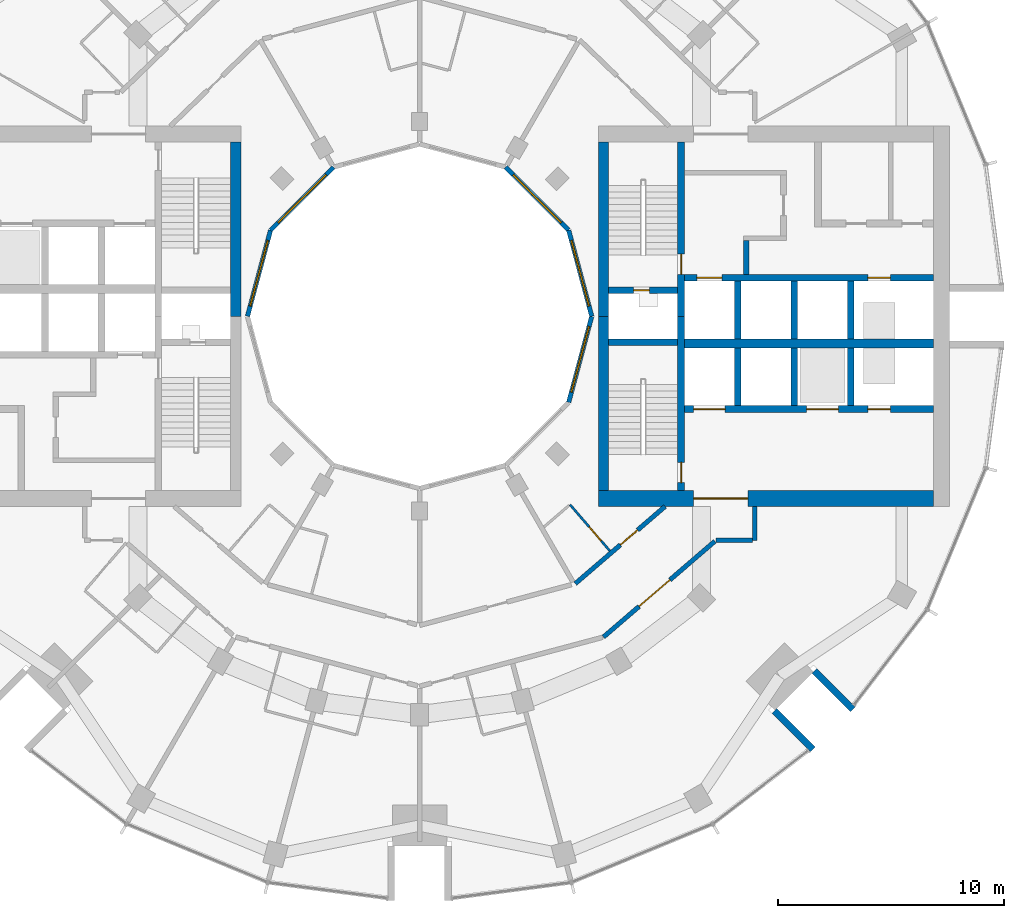
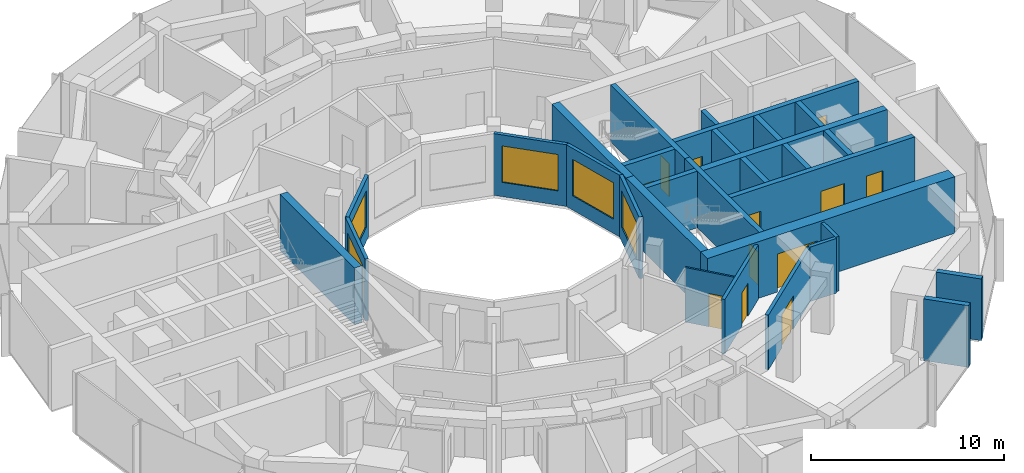
# One storey, part 10 of 15: 30 walls, 12 doors, 5 windows, 17 openings.
"""IFC4 building model written with IfcOpenShell, lengths in metres."""

from ifc_helpers import new_model, si_unit, direction, frame, frame_2d, origin, place, context, subcontext, project, spatial, rectangle, extrude, material, layer, layer_set, type_object, element, fill, save


model = new_model("IFC4")

# Units and contexts
model_context = context("Model", 3, precision=1e-05, world=origin(), true_north=direction((0.0, 1.0)))
body_context = subcontext(model_context, "Body", "Model", "MODEL_VIEW")
ifc_project = project(units=[si_unit("LENGTHUNIT", "METRE"), si_unit("AREAUNIT", "SQUARE_METRE"), si_unit("VOLUMEUNIT", "CUBIC_METRE"), si_unit("PLANEANGLEUNIT", "RADIAN"), si_unit("MASSUNIT", "GRAM", prefix="KILO")], contexts=[model_context])

# Site, building, storey
site_placement = place(None, origin())
site = spatial("IfcSite", under=ifc_project, at=site_placement, CompositionType="ELEMENT")
building_placement = place(site_placement, origin())
building = spatial("IfcBuilding", under=site, at=building_placement, Name="Torre Brocal", CompositionType="ELEMENT")
storey_placement = place(building_placement, frame((0.0, 0.0, 141.89990234375)))
storey = spatial("IfcBuildingStorey", under=building, at=storey_placement, Name="L33", CompositionType="ELEMENT", Elevation=141.89990234375)

# Wall
ifc_material_1 = material(Name="Concrete C70", Category="concrete")
ifc_layer_1 = layer(ifc_material_1, 0.25)
ifc_layer_set_1 = layer_set([ifc_layer_1], Name="Concrete C70")
wall_type_1 = type_object("IfcWallType", Name="CORE WALL 250 C70", PredefinedType="SHEAR", material=ifc_layer_set_1)
wall_1_placement = place(storey_placement, frame((94.425048828125, 76.85009765625, 0.0), z_axis=(0.0, 0.0, 1.0), x_axis=(0.0, 1.0, 0.0)))
element("IfcWall", 1, at=wall_1_placement, inside=storey, type_object=wall_type_1, Name="Wall CW250-70", PredefinedType="SHEAR", context=body_context, shape_type="SweptSolid", body=[
    extrude(rectangle(XDim=1.5, YDim=0.25, at=frame_2d((0.75, 0.0))), origin(), (0.0, 0.0, 1.0), 3.580078125),
])

# Wall, opening, door
ifc_material_2 = material(Name="Concrete C70", Category="concrete")
ifc_layer_2 = layer(ifc_material_2, 0.300048828125)
ifc_layer_set_2 = layer_set([ifc_layer_2], Name="Concrete C70")
wall_type_2 = type_object("IfcWallType", Name="CORE WALL 300 C70", PredefinedType="SHEAR", material=ifc_layer_set_2)
wall_2_placement = place(storey_placement, frame((91.550048828125, 75.0, 0.0), z_axis=(0.0, 0.0, 1.0), x_axis=(0.0, 1.0, 0.0)))
wall_2 = element("IfcWall", 2, at=wall_2_placement, inside=storey, type_object=wall_type_2, Name="Wall CW300-70", PredefinedType="SHEAR", context=body_context, shape_type="SweptSolid", body=[
    extrude(rectangle(XDim=7.699951171875, YDim=0.300048828125, at=frame_2d((3.85009765625, 0.0))), origin(), (0.0, 0.0, 1.0), 3.580078125),
])
opening_1_placement = place(wall_2_placement, frame((1.85009765625, 0.0, 0.0)))
opening_1 = element("IfcOpeningElement", 3, at=opening_1_placement, cuts=wall_2, Name="Opening E-D02", PredefinedType="OPENING", context=body_context, shape_type="SweptSolid", body=[
    extrude(rectangle(XDim=0.89990234375, YDim=2.10009765625, at=frame_2d((0.449951171875, 1.050048828125))), frame((0.0, 0.159912109375, 0.0), z_axis=(0.0, -1.0, 0.0), x_axis=(1.0, 0.0, 0.0)), (0.0, 0.0, 1.0), 0.320068359375),
])
ifc_material_3 = material(Name="Steel A653", Category="steel")
door_type_1 = type_object("IfcDoorType", Name="STAIR DOOR FD120 900X2100", OperationType="SINGLE_SWING_RIGHT", PredefinedType="DOOR", material=ifc_material_3)
door_1_placement = place(opening_1_placement, origin())
door_1 = element("IfcDoor", 4, at=door_1_placement, inside=storey, type_object=door_type_1, Name="Door E-D02", OperationType="SINGLE_SWING_LEFT", OverallHeight=2.10009765625, OverallWidth=0.89990234375, PredefinedType="DOOR", context=body_context, shape_type="SweptSolid", body=[
    extrude(rectangle(XDim=0.89990234375, YDim=2.10009765625, at=frame_2d((0.449951171875, 1.050048828125))), frame((0.0, 0.02490234375, 0.0), z_axis=(0.0, -1.0, 0.0), x_axis=(1.0, 0.0, 0.0)), (0.0, 0.0, 1.0), 0.050048828125),
])
fill(opening_1, door_1)

wall_3_placement = place(storey_placement, frame((91.550048828125, 67.300048828125, 0.0), z_axis=(0.0, 0.0, 1.0), x_axis=(0.0, 1.0, 0.0)))
wall_3 = element("IfcWall", 5, at=wall_3_placement, inside=storey, type_object=wall_type_2, Name="Wall CW300-70", PredefinedType="SHEAR", context=body_context, shape_type="SweptSolid", body=[
    extrude(rectangle(XDim=7.699951171875, YDim=0.300048828125, at=frame_2d((3.85009765625, 0.0))), origin(), (0.0, 0.0, 1.0), 3.580078125),
])
opening_2_placement = place(wall_3_placement, frame((0.35009765625, 0.0, 0.0)))
opening_2 = element("IfcOpeningElement", 6, at=opening_2_placement, cuts=wall_3, Name="Opening E-D03", PredefinedType="OPENING", context=body_context, shape_type="SweptSolid", body=[
    extrude(rectangle(XDim=0.89990234375, YDim=2.10009765625, at=frame_2d((0.449951171875, 1.050048828125))), frame((0.0, 0.159912109375, 0.0), z_axis=(0.0, -1.0, 0.0), x_axis=(1.0, 0.0, 0.0)), (0.0, 0.0, 1.0), 0.320068359375),
])
door_2_placement = place(opening_2_placement, origin())
door_2 = element("IfcDoor", 7, at=door_2_placement, inside=storey, type_object=door_type_1, Name="Door E-D03", OperationType="SINGLE_SWING_LEFT", OverallHeight=2.10009765625, OverallWidth=0.89990234375, PredefinedType="DOOR", context=body_context, shape_type="SweptSolid", body=[
    extrude(rectangle(XDim=0.89990234375, YDim=2.10009765625, at=frame_2d((0.449951171875, 1.050048828125))), frame((0.0, 0.02490234375, 0.0), z_axis=(0.0, -1.0, 0.0), x_axis=(1.0, 0.0, 0.0)), (0.0, 0.0, 1.0), 0.050048828125),
])
fill(opening_2, door_2)

wall_4_placement = place(storey_placement, frame((88.35009765625, 76.14990234375, 0.0), z_axis=(0.0, 0.0, 1.0), x_axis=(1.0, 0.0, 0.0)))
wall_4 = element("IfcWall", 8, at=wall_4_placement, inside=storey, type_object=wall_type_2, Name="Wall CW300-70", PredefinedType="SHEAR", context=body_context, shape_type="SweptSolid", body=[
    extrude(rectangle(XDim=3.0498046875, YDim=0.300048828125, at=frame_2d((1.52490234375, 0.0))), origin(), (0.0, 0.0, 1.0), 3.580078125),
])
opening_3_placement = place(wall_4_placement, frame((1.10009765625, 0.0, 0.0)))
opening_3 = element("IfcOpeningElement", 9, at=opening_3_placement, cuts=wall_4, Name="Opening E-D01", PredefinedType="OPENING", context=body_context, shape_type="SweptSolid", body=[
    extrude(rectangle(XDim=0.699951171875, YDim=2.0, at=frame_2d((0.35009765625, 1.0))), frame((0.0, 0.159912109375, 0.0), z_axis=(0.0, -1.0, 0.0), x_axis=(1.0, 0.0, 0.0)), (0.0, 0.0, 1.0), 0.320068359375),
])
ifc_material_4 = material(Name="Steel A653", Category="steel")
door_type_2 = type_object("IfcDoorType", Name="RISER DOOR FD120 700X2000", OperationType="SINGLE_SWING_LEFT", PredefinedType="DOOR", material=ifc_material_4)
door_3_placement = place(opening_3_placement, frame((0.699951171875, 0.0, 0.0), z_axis=(0.0, 0.0, 1.0), x_axis=(-1.0, 0.0, 0.0)))
door_3 = element("IfcDoor", 10, at=door_3_placement, inside=storey, type_object=door_type_2, Name="Door E-D01", OperationType="SINGLE_SWING_RIGHT", OverallHeight=2.0, OverallWidth=0.699951171875, PredefinedType="DOOR", context=body_context, shape_type="SweptSolid", body=[
    extrude(rectangle(XDim=0.699951171875, YDim=2.0, at=frame_2d((0.35009765625, 1.0))), frame((0.0, 0.02490234375, 0.0), z_axis=(0.0, -1.0, 0.0), x_axis=(1.0, 0.0, 0.0)), (0.0, 0.0, 1.0), 0.050048828125),
])
fill(opening_3, door_3)

# Wall
wall_5_placement = place(storey_placement, frame((88.35009765625, 73.85009765625, 0.0), z_axis=(0.0, 0.0, 1.0), x_axis=(1.0, 0.0, 0.0)))
element("IfcWall", 11, at=wall_5_placement, inside=storey, type_object=wall_type_2, Name="Wall CW300-70", PredefinedType="SHEAR", context=body_context, shape_type="SweptSolid", body=[
    extrude(rectangle(XDim=3.0498046875, YDim=0.300048828125, at=frame_2d((1.52490234375, 0.0))), origin(), (0.0, 0.0, 1.0), 3.580078125),
])

# Wall, openings, doors
wall_6_placement = place(storey_placement, frame((91.699951171875, 76.699951171875, 0.0), z_axis=(0.0, 0.0, 1.0), x_axis=(1.0, 0.0, 0.0)))
wall_6 = element("IfcWall", 12, at=wall_6_placement, inside=storey, type_object=wall_type_2, Name="Wall CW300-70", PredefinedType="SHEAR", context=body_context, shape_type="SweptSolid", body=[
    extrude(rectangle(XDim=11.0, YDim=0.300048828125, at=frame_2d((5.5, 0.0))), origin(), (0.0, 0.0, 1.0), 3.580078125),
])
opening_4_placement = place(wall_6_placement, frame((0.550048828125, 0.0, 0.0)))
opening_4 = element("IfcOpeningElement", 13, at=opening_4_placement, cuts=wall_6, Name="Opening LD", PredefinedType="OPENING", context=body_context, shape_type="SweptSolid", body=[
    extrude(rectangle(XDim=1.10009765625, YDim=2.10009765625, at=frame_2d((0.550048828125, 1.050048828125))), frame((0.0, 0.159912109375, 0.0), z_axis=(0.0, -1.0, 0.0), x_axis=(1.0, 0.0, 0.0)), (0.0, 0.0, 1.0), 0.320068359375),
])
opening_5_placement = place(wall_6_placement, frame((8.10009765625, 0.0, 0.0)))
opening_5 = element("IfcOpeningElement", 14, at=opening_5_placement, cuts=wall_6, Name="Opening LD10", PredefinedType="OPENING", context=body_context, shape_type="SweptSolid", body=[
    extrude(rectangle(XDim=1.0, YDim=2.10009765625, at=frame_2d((0.5, 1.050048828125))), frame((0.0, 0.159912109375, 0.0), z_axis=(0.0, -1.0, 0.0), x_axis=(1.0, 0.0, 0.0)), (0.0, 0.0, 1.0), 0.320068359375),
])
ifc_material_5 = material(Name="Stainless steel AISI 316", Category="steel")
door_type_3 = type_object("IfcDoorType", Name="LIFT LANDING DOOR 1000X2100", OperationType="DOUBLE_DOOR_SLIDING", PredefinedType="DOOR", material=ifc_material_5)
door_4_placement = place(opening_5_placement, origin())
door_4 = element("IfcDoor", 15, at=door_4_placement, inside=storey, type_object=door_type_3, Name="Door LD10", OperationType="DOUBLE_DOOR_SLIDING", OverallHeight=2.10009765625, OverallWidth=1.0, PredefinedType="DOOR", context=body_context, shape_type="SweptSolid", body=[
    extrude(rectangle(XDim=1.0, YDim=2.10009765625, at=frame_2d((0.5, 1.050048828125))), frame((0.0, 0.02490234375, 0.0), z_axis=(0.0, -1.0, 0.0), x_axis=(1.0, 0.0, 0.0)), (0.0, 0.0, 1.0), 0.050048828125),
])
fill(opening_5, door_4)
ifc_material_6 = material(Name="Stainless steel AISI 316", Category="steel")
door_type_4 = type_object("IfcDoorType", Name="LIFT LANDING DOOR 1100X2100", OperationType="DOUBLE_DOOR_SLIDING", PredefinedType="DOOR", material=ifc_material_6)
door_5_placement = place(opening_4_placement, origin())
door_5 = element("IfcDoor", 16, at=door_5_placement, inside=storey, type_object=door_type_4, Name="Door LD", OperationType="DOUBLE_DOOR_SLIDING", OverallHeight=2.10009765625, OverallWidth=1.10009765625, PredefinedType="DOOR", context=body_context, shape_type="SweptSolid", body=[
    extrude(rectangle(XDim=1.10009765625, YDim=2.10009765625, at=frame_2d((0.550048828125, 1.050048828125))), frame((0.0, 0.02490234375, 0.0), z_axis=(0.0, -1.0, 0.0), x_axis=(1.0, 0.0, 0.0)), (0.0, 0.0, 1.0), 0.050048828125),
])
fill(opening_4, door_5)

wall_7_placement = place(storey_placement, frame((91.699951171875, 70.89990234375, 0.0), z_axis=(0.0, 0.0, 1.0), x_axis=(1.0, 0.0, 0.0)))
wall_7 = element("IfcWall", 17, at=wall_7_placement, inside=storey, type_object=wall_type_2, Name="Wall CW300-70", PredefinedType="SHEAR", context=body_context, shape_type="SweptSolid", body=[
    extrude(rectangle(XDim=11.0, YDim=0.300048828125, at=frame_2d((5.5, 0.0))), origin(), (0.0, 0.0, 1.0), 3.580078125),
])
opening_6_placement = place(wall_7_placement, frame((0.39990234375, 0.0, 0.0)))
opening_6 = element("IfcOpeningElement", 18, at=opening_6_placement, cuts=wall_7, Name="Opening LD14", PredefinedType="OPENING", context=body_context, shape_type="SweptSolid", body=[
    extrude(rectangle(XDim=1.39990234375, YDim=2.10009765625, at=frame_2d((0.699951171875, 1.050048828125))), frame((0.0, 0.159912109375, 0.0), z_axis=(0.0, -1.0, 0.0), x_axis=(1.0, 0.0, 0.0)), (0.0, 0.0, 1.0), 0.320068359375),
])
opening_7_placement = place(wall_7_placement, frame((5.39990234375, 0.0, 0.0)))
opening_7 = element("IfcOpeningElement", 19, at=opening_7_placement, cuts=wall_7, Name="Opening LD14", PredefinedType="OPENING", context=body_context, shape_type="SweptSolid", body=[
    extrude(rectangle(XDim=1.39990234375, YDim=2.10009765625, at=frame_2d((0.699951171875, 1.050048828125))), frame((0.0, 0.159912109375, 0.0), z_axis=(0.0, -1.0, 0.0), x_axis=(1.0, 0.0, 0.0)), (0.0, 0.0, 1.0), 0.320068359375),
])
opening_8_placement = place(wall_7_placement, frame((8.10009765625, 0.0, 0.0)))
opening_8 = element("IfcOpeningElement", 20, at=opening_8_placement, cuts=wall_7, Name="Opening LD10", PredefinedType="OPENING", context=body_context, shape_type="SweptSolid", body=[
    extrude(rectangle(XDim=1.0, YDim=2.10009765625, at=frame_2d((0.5, 1.050048828125))), frame((0.0, 0.159912109375, 0.0), z_axis=(0.0, -1.0, 0.0), x_axis=(1.0, 0.0, 0.0)), (0.0, 0.0, 1.0), 0.320068359375),
])
door_6_placement = place(opening_8_placement, origin())
door_6 = element("IfcDoor", 21, at=door_6_placement, inside=storey, type_object=door_type_3, Name="Door LD10", OperationType="DOUBLE_DOOR_SLIDING", OverallHeight=2.10009765625, OverallWidth=1.0, PredefinedType="DOOR", context=body_context, shape_type="SweptSolid", body=[
    extrude(rectangle(XDim=1.0, YDim=2.10009765625, at=frame_2d((0.5, 1.050048828125))), frame((0.0, 0.02490234375, 0.0), z_axis=(0.0, -1.0, 0.0), x_axis=(1.0, 0.0, 0.0)), (0.0, 0.0, 1.0), 0.050048828125),
])
fill(opening_8, door_6)
ifc_material_7 = material(Name="Stainless steel AISI 316", Category="steel")
door_type_5 = type_object("IfcDoorType", Name="LIFT LANDING DOOR 1400X2100", OperationType="DOUBLE_DOOR_SLIDING", PredefinedType="DOOR", material=ifc_material_7)
door_7_placement = place(opening_6_placement, origin())
door_7 = element("IfcDoor", 22, at=door_7_placement, inside=storey, type_object=door_type_5, Name="Door LD14", OperationType="DOUBLE_DOOR_SLIDING", OverallHeight=2.10009765625, OverallWidth=1.39990234375, PredefinedType="DOOR", context=body_context, shape_type="SweptSolid", body=[
    extrude(rectangle(XDim=1.39990234375, YDim=2.10009765625, at=frame_2d((0.699951171875, 1.050048828125))), frame((0.0, 0.02490234375, 0.0), z_axis=(0.0, -1.0, 0.0), x_axis=(1.0, 0.0, 0.0)), (0.0, 0.0, 1.0), 0.050048828125),
])
fill(opening_6, door_7)
door_8_placement = place(opening_7_placement, origin())
door_8 = element("IfcDoor", 23, at=door_8_placement, inside=storey, type_object=door_type_5, Name="Door LD14", OperationType="DOUBLE_DOOR_SLIDING", OverallHeight=2.10009765625, OverallWidth=1.39990234375, PredefinedType="DOOR", context=body_context, shape_type="SweptSolid", body=[
    extrude(rectangle(XDim=1.39990234375, YDim=2.10009765625, at=frame_2d((0.699951171875, 1.050048828125))), frame((0.0, 0.02490234375, 0.0), z_axis=(0.0, -1.0, 0.0), x_axis=(1.0, 0.0, 0.0)), (0.0, 0.0, 1.0), 0.050048828125),
])
fill(opening_7, door_8)

# Walls
for number, where, z_axis, x_axis, name in (
    (24, (94.050048828125, 74.0, 0.0), (0.0, 0.0, 1.0), (0.0, 1.0, 0.0), "Wall CW300-70"),
    (25, (96.550048828125, 74.0, 0.0), (0.0, 0.0, 1.0), (0.0, 1.0, 0.0), "Wall CW300-70"),
    (26, (99.050048828125, 74.0, 0.0), (0.0, 0.0, 1.0), (0.0, 1.0, 0.0), "Wall CW300-70"),
    (27, (94.050048828125, 71.050048828125, 0.0), (0.0, 0.0, 1.0), (0.0, 1.0, 0.0), "Wall CW300-70"),
    (28, (96.550048828125, 71.050048828125, 0.0), (0.0, 0.0, 1.0), (0.0, 1.0, 0.0), "Wall CW300-70"),
    (29, (99.050048828125, 71.050048828125, 0.0), (0.0, 0.0, 1.0), (0.0, 1.0, 0.0), "Wall CW300-70"),
):
    element("IfcWall", number, at=place(storey_placement, frame(where, z_axis=z_axis, x_axis=x_axis)), inside=storey, type_object=wall_type_2, Name=name, PredefinedType="SHEAR", context=body_context, shape_type="SweptSolid", body=[
        extrude(rectangle(XDim=2.550048828125, YDim=0.300048828125, at=frame_2d((1.27490234375, 0.0))), origin(), (0.0, 0.0, 1.0), 3.580078125),
    ])
ifc_material_8 = material(Name="Concrete C70", Category="concrete")
ifc_layer_3 = layer(ifc_material_8, 0.39990234375)
ifc_layer_set_3 = layer_set([ifc_layer_3], Name="Concrete C70")
wall_type_3 = type_object("IfcWallType", Name="CORE WALL 400 C70", PredefinedType="SHEAR", material=ifc_layer_set_3)
wall_8_placement = place(storey_placement, frame((91.699951171875, 73.800048828125, 0.0), z_axis=(0.0, 0.0, 1.0), x_axis=(1.0, 0.0, 0.0)))
element("IfcWall", 30, at=wall_8_placement, inside=storey, type_object=wall_type_3, Name="Wall CW400-70", PredefinedType="SHEAR", context=body_context, shape_type="SweptSolid", body=[
    extrude(rectangle(XDim=11.0, YDim=0.39990234375, at=frame_2d((5.5, 0.0))), origin(), (0.0, 0.0, 1.0), 3.580078125),
])
ifc_material_9 = material(Name="Concrete C70", Category="concrete")
ifc_layer_4 = layer(ifc_material_9, 0.449951171875)
ifc_layer_set_4 = layer_set([ifc_layer_4], Name="Concrete C70")
wall_type_4 = type_object("IfcWallType", Name="CORE WALL 450 C70", PredefinedType="SHEAR", material=ifc_layer_set_4)
for number, where, z_axis, x_axis, name in (
    (31, (88.125, 75.0, 0.0), (0.0, 0.0, 1.0), (0.0, 1.0, 0.0), "Wall CW450-70"),
    (32, (88.125, 67.300048828125, 0.0), (0.0, 0.0, 1.0), (0.0, 1.0, 0.0), "Wall CW450-70"),
    (33, (71.875, 82.699951171875, 0.0), (0.0, 0.0, 1.0), (0.0, -1.0, 0.0), "Wall CW450-70"),
):
    element("IfcWall", number, at=place(storey_placement, frame(where, z_axis=z_axis, x_axis=x_axis)), inside=storey, type_object=wall_type_4, Name=name, PredefinedType="SHEAR", context=body_context, shape_type="SweptSolid", body=[
        extrude(rectangle(XDim=7.699951171875, YDim=0.449951171875, at=frame_2d((3.85009765625, 0.0))), origin(), (0.0, 0.0, 1.0), 3.580078125),
    ])

# Wall, opening, door
ifc_material_10 = material(Name="Concrete C70", Category="concrete")
ifc_layer_5 = layer(ifc_material_10, 0.699951171875)
ifc_layer_set_5 = layer_set([ifc_layer_5], Name="Concrete C70")
wall_type_5 = type_object("IfcWallType", Name="CORE WALL 700 C70", PredefinedType="SHEAR", material=ifc_layer_set_5)
wall_9_placement = place(storey_placement, frame((87.89990234375, 66.949951171875, 0.0), z_axis=(0.0, 0.0, 1.0), x_axis=(1.0, 0.0, 0.0)))
wall_9 = element("IfcWall", 34, at=wall_9_placement, inside=storey, type_object=wall_type_5, Name="Wall CW700-70", PredefinedType="SHEAR", context=body_context, shape_type="SweptSolid", body=[
    extrude(rectangle(XDim=14.800048828125, YDim=0.699951171875, at=frame_2d((7.39990234375, 0.0))), origin(), (0.0, 0.0, 1.0), 3.580078125),
])
opening_9_placement = place(wall_9_placement, frame((4.199951171875, 0.0, 0.0)))
opening_9 = element("IfcOpeningElement", 35, at=opening_9_placement, cuts=wall_9, Name="Opening E-D27", PredefinedType="OPENING", context=body_context, shape_type="SweptSolid", body=[
    extrude(rectangle(XDim=2.39990234375, YDim=2.39990234375, at=frame_2d((1.199951171875, 1.199951171875))), frame((0.0, 0.35986328125, 0.0), z_axis=(0.0, -1.0, 0.0), x_axis=(1.0, 0.0, 0.0)), (0.0, 0.0, 1.0), 0.719970703125),
])
ifc_material_11 = material(Name="Steel A653", Category="steel")
door_type_6 = type_object("IfcDoorType", Name="DOUBLE FIRE DOOR FD90 2400X2400", OperationType="DOUBLE_DOOR_SINGLE_SWING", PredefinedType="DOOR", material=ifc_material_11)
door_9_placement = place(opening_9_placement, origin())
door_9 = element("IfcDoor", 36, at=door_9_placement, inside=storey, type_object=door_type_6, Name="Door E-D27", OperationType="DOUBLE_DOOR_SINGLE_SWING", OverallHeight=2.39990234375, OverallWidth=2.39990234375, PredefinedType="DOOR", context=body_context, shape_type="SweptSolid", body=[
    extrude(rectangle(XDim=2.39990234375, YDim=2.39990234375, at=frame_2d((1.199951171875, 1.199951171875))), frame((0.0, 0.02490234375, 0.0), z_axis=(0.0, -1.0, 0.0), x_axis=(1.0, 0.0, 0.0)), (0.0, 0.0, 1.0), 0.050048828125),
])
fill(opening_9, door_9)

# Walls
ifc_material_12 = material(Name="Concrete C70", Category="concrete")
ifc_layer_6 = layer(ifc_material_12, 0.300048828125)
ifc_layer_set_6 = layer_set([ifc_layer_6], Name="Concrete C70")
wall_type_6 = type_object("IfcWallType", Name="NOTCH RETURN WALL 300 C70", PredefinedType="NOTDEFINED", material=ifc_layer_set_6)
for number, where, z_axis, x_axis, name in (
    (37, (95.662353515625, 57.56982421875, 0.0), (0.0, 0.0, 1.0), (0.707106781187, -0.707106781187, 0.0), "NOTCH RETURN WALL"),
    (38, (97.43017578125, 59.337646484375, 0.0), (0.0, 0.0, 1.0), (0.707106781187, -0.707106781187, 0.0), "NOTCH RETURN WALL"),
):
    element("IfcWall", number, at=place(storey_placement, frame(where, z_axis=z_axis, x_axis=x_axis)), inside=storey, type_object=wall_type_6, Name=name, PredefinedType="NOTDEFINED", context=body_context, shape_type="SweptSolid", body=[
        extrude(rectangle(XDim=2.415771484375, YDim=0.300048828125, at=frame_2d((1.2080078125, 0.0))), origin(), (0.0, 0.0, 1.0), 3.900146484375),
    ])

# Wall, opening, door
ifc_material_13 = material(Name="Gypsum board", Category="Gypsum")
ifc_layer_7 = layer(ifc_material_13, 0.10009765625)
ifc_layer_set_7 = layer_set([ifc_layer_7], Name="Gypsum board")
wall_type_7 = type_object("IfcWallType", Name="PARTITION 100", PredefinedType="PARTITIONING", material=ifc_layer_set_7)
wall_10_placement = place(storey_placement, frame((86.64306640625, 66.680908203125, 0.0), z_axis=(0.0, 0.0, 1.0), x_axis=(0.652264876065, -0.757991115682, 0.0)))
wall_10 = element("IfcWall", 39, at=wall_10_placement, inside=storey, type_object=wall_type_7, Name="BATHROOM WALL", PredefinedType="PARTITIONING", context=body_context, shape_type="SweptSolid", body=[
    extrude(rectangle(XDim=2.699462890625, YDim=0.10009765625, at=frame_2d((1.349609375, 0.0))), origin(), (0.0, 0.0, 1.0), 3.4501953125),
])
opening_10_placement = place(wall_10_placement, frame((1.2998046875, 0.0, 0.0)))
opening_10 = element("IfcOpeningElement", 40, at=opening_10_placement, cuts=wall_10, Name="Opening E03-D35", PredefinedType="OPENING", context=body_context, shape_type="SweptSolid", body=[
    extrude(rectangle(XDim=0.800048828125, YDim=2.10009765625, at=frame_2d((0.39990234375, 1.050048828125))), frame((0.0, 0.06005859375, 0.0), z_axis=(0.0, -1.0, 0.0), x_axis=(1.0, 0.0, 0.0)), (0.0, 0.0, 1.0), 0.1201171875),
])
ifc_material_14 = material(Name="Timber", Category="wood")
door_type_7 = type_object("IfcDoorType", Name="BATHROOM DOOR 800X2100", OperationType="SINGLE_SWING_LEFT", PredefinedType="DOOR", material=ifc_material_14)
door_10_placement = place(opening_10_placement, frame((0.800048828125, 0.0, 0.0), z_axis=(0.0, 0.0, 1.0), x_axis=(-1.0, 0.0, 0.0)))
door_10 = element("IfcDoor", 41, at=door_10_placement, inside=storey, type_object=door_type_7, Name="E03-D35", OperationType="SINGLE_SWING_LEFT", OverallHeight=2.10009765625, OverallWidth=0.800048828125, PredefinedType="DOOR", context=body_context, shape_type="SweptSolid", body=[
    extrude(rectangle(XDim=0.800048828125, YDim=2.10009765625, at=frame_2d((0.39990234375, 1.050048828125))), frame((0.0, 0.02490234375, 0.0), z_axis=(0.0, -1.0, 0.0), x_axis=(1.0, 0.0, 0.0)), (0.0, 0.0, 1.0), 0.050048828125),
])
fill(opening_10, door_10)

ifc_material_15 = material(Name="Gypsum board", Category="Gypsum")
ifc_layer_8 = layer(ifc_material_15, 0.199951171875)
ifc_layer_set_8 = layer_set([ifc_layer_8], Name="Gypsum board")
wall_type_8 = type_object("IfcWallType", Name="PARTITION 200 EI60", PredefinedType="PARTITIONING", material=ifc_layer_set_8)
wall_11_placement = place(storey_placement, frame((86.876953125, 63.189208984375, 0.0), z_axis=(0.0, 0.0, 1.0), x_axis=(0.758164888471, 0.652062881853, 0.0)))
wall_11 = element("IfcWall", 42, at=wall_11_placement, inside=storey, type_object=wall_type_8, Name="GUESTROOM CORRIDOR WALL", PredefinedType="PARTITIONING", context=body_context, shape_type="SweptSolid", body=[
    extrude(rectangle(XDim=5.230224609375, YDim=0.199951171875, at=frame_2d((2.615234375, 0.0))), origin(), (0.0, 0.0, 1.0), 3.4501953125),
])
opening_11_placement = place(wall_11_placement, frame((2.63037109375, 0.0, 0.0)))
opening_11 = element("IfcOpeningElement", 43, at=opening_11_placement, cuts=wall_11, Name="Opening E03-D34", PredefinedType="OPENING", context=body_context, shape_type="SweptSolid", body=[
    extrude(rectangle(XDim=1.0, YDim=2.10009765625, at=frame_2d((0.5, 1.050048828125))), frame((0.0, 0.10986328125, 0.0), z_axis=(0.0, -1.0, 0.0), x_axis=(1.0, 0.0, 0.0)), (0.0, 0.0, 1.0), 0.219970703125),
])
ifc_material_16 = material(Name="Timber", Category="wood")
door_type_8 = type_object("IfcDoorType", Name="FLAT ENTRY DOOR FD30S 1000X2100", OperationType="SINGLE_SWING_RIGHT", PredefinedType="DOOR", material=ifc_material_16)
door_11_placement = place(opening_11_placement, origin())
door_11 = element("IfcDoor", 44, at=door_11_placement, inside=storey, type_object=door_type_8, Name="E03-D34", OperationType="SINGLE_SWING_LEFT", OverallHeight=2.10009765625, OverallWidth=1.0, PredefinedType="DOOR", context=body_context, shape_type="SweptSolid", body=[
    extrude(rectangle(XDim=1.0, YDim=2.10009765625, at=frame_2d((0.5, 1.050048828125))), frame((0.0, 0.02490234375, 0.0), z_axis=(0.0, -1.0, 0.0), x_axis=(1.0, 0.0, 0.0)), (0.0, 0.0, 1.0), 0.050048828125),
])
fill(opening_11, door_11)

wall_12_placement = place(storey_placement, frame((88.122802734375, 60.8310546875, 0.0), z_axis=(0.0, 0.0, 1.0), x_axis=(0.758118199374, 0.652117164149, 0.0)))
wall_12 = element("IfcWall", 45, at=wall_12_placement, inside=storey, type_object=wall_type_8, Name="CORRIDOR WALL", PredefinedType="PARTITIONING", context=body_context, shape_type="SweptSolid", body=[
    extrude(rectangle(XDim=6.48583984375, YDim=0.199951171875, at=frame_2d((3.242919921875, 0.0))), origin(), (0.0, 0.0, 1.0), 3.4501953125),
])
opening_12_placement = place(wall_12_placement, frame((2.07275390625, 0.0, 0.0)))
opening_12 = element("IfcOpeningElement", 46, at=opening_12_placement, cuts=wall_12, Name="Opening E03-D23", PredefinedType="OPENING", context=body_context, shape_type="SweptSolid", body=[
    extrude(rectangle(XDim=1.800048828125, YDim=2.10009765625, at=frame_2d((0.89990234375, 1.050048828125))), frame((0.0, 0.10986328125, 0.0), z_axis=(0.0, -1.0, 0.0), x_axis=(1.0, 0.0, 0.0)), (0.0, 0.0, 1.0), 0.219970703125),
])
ifc_material_17 = material(Name="Timber", Category="wood")
door_type_9 = type_object("IfcDoorType", Name="DOUBLE DOOR 1800X2100", OperationType="DOUBLE_DOOR_SINGLE_SWING", PredefinedType="DOOR", material=ifc_material_17)
door_12_placement = place(opening_12_placement, frame((1.800048828125, 0.0, 0.0), z_axis=(0.0, 0.0, 1.0), x_axis=(-1.0, 0.0, 0.0)))
door_12 = element("IfcDoor", 47, at=door_12_placement, inside=storey, type_object=door_type_9, Name="E03-D23", OperationType="DOUBLE_DOOR_SINGLE_SWING", OverallHeight=2.10009765625, OverallWidth=1.800048828125, PredefinedType="DOOR", context=body_context, shape_type="SweptSolid", body=[
    extrude(rectangle(XDim=1.800048828125, YDim=2.10009765625, at=frame_2d((0.89990234375, 1.050048828125))), frame((0.0, 0.02490234375, 0.0), z_axis=(0.0, -1.0, 0.0), x_axis=(1.0, 0.0, 0.0)), (0.0, 0.0, 1.0), 0.050048828125),
])
fill(opening_12, door_12)

# Walls
wall_13_placement = place(storey_placement, frame((93.0849609375, 65.10009765625, 0.0), z_axis=(0.0, 0.0, 1.0), x_axis=(1.0, 0.0, 0.0)))
element("IfcWall", 48, at=wall_13_placement, inside=storey, type_object=wall_type_8, Name="CORRIDOR WALL", PredefinedType="PARTITIONING", context=body_context, shape_type="SweptSolid", body=[
    extrude(rectangle(XDim=1.614990234375, YDim=0.199951171875, at=frame_2d((0.8076171875, 0.0))), origin(), (0.0, 0.0, 1.0), 3.4501953125),
])
wall_14_placement = place(storey_placement, frame((94.800048828125, 65.10009765625, 0.0), z_axis=(0.0, 0.0, 1.0), x_axis=(0.0, 1.0, 0.0)))
element("IfcWall", 49, at=wall_14_placement, inside=storey, type_object=wall_type_8, Name="CORRIDOR WALL", PredefinedType="PARTITIONING", context=body_context, shape_type="SweptSolid", body=[
    extrude(rectangle(XDim=1.4990234375, YDim=0.199951171875, at=frame_2d((0.74951171875, 0.0))), origin(), (0.0, 0.0, 1.0), 3.4501953125),
])

# Wall, opening, window
ifc_material_18 = material(Name="Concrete C40", Category="concrete")
ifc_layer_9 = layer(ifc_material_18, 0.199951171875)
ifc_layer_set_9 = layer_set([ifc_layer_9], Name="Concrete C40")
wall_type_9 = type_object("IfcWallType", Name="WELL FACADE WALL 200", PredefinedType="NOTDEFINED", material=ifc_layer_set_9)
wall_15_placement = place(storey_placement, frame((87.603515625, 75.0, 0.0), z_axis=(0.0, 0.0, 1.0), x_axis=(-0.258789828301, 0.965933654434, 0.0)))
wall_15 = element("IfcWall", 50, at=wall_15_placement, inside=storey, type_object=wall_type_9, Name="WELL FACADE WALL", PredefinedType="NOTDEFINED", context=body_context, shape_type="SweptSolid", body=[
    extrude(rectangle(XDim=3.935791015625, YDim=0.199951171875, at=frame_2d((1.9677734375, 0.0))), origin(), (0.0, 0.0, 1.0), 3.900146484375),
])
opening_13_placement = place(wall_15_placement, frame((0.468017578125, 0.0, 0.89990234375)))
opening_13 = element("IfcOpeningElement", 51, at=opening_13_placement, cuts=wall_15, Name="Opening W1", PredefinedType="OPENING", context=body_context, shape_type="SweptSolid", body=[
    extrude(rectangle(XDim=3.0, YDim=2.300048828125, at=frame_2d((1.5, 1.14990234375))), frame((0.0, 0.10986328125, 0.0), z_axis=(0.0, -1.0, 0.0), x_axis=(1.0, 0.0, 0.0)), (0.0, 0.0, 1.0), 0.219970703125),
])
ifc_material_19 = material(Name="Aluminium and glass", Category="aluminium")
window_type = type_object("IfcWindowType", Name="WELL WINDOW 3000X2300", PartitioningType="SINGLE_PANEL", PredefinedType="WINDOW", material=ifc_material_19)
window_1_placement = place(opening_13_placement, origin())
window_1 = element("IfcWindow", 52, at=window_1_placement, inside=storey, type_object=window_type, Name="WELL WINDOW 3000X2300", OverallHeight=2.300048828125, OverallWidth=3.0, PartitioningType="SINGLE_PANEL", PredefinedType="WINDOW", context=body_context, shape_type="SweptSolid", body=[
    extrude(rectangle(XDim=3.0, YDim=2.300048828125, at=frame_2d((1.5, 1.14990234375))), frame((0.0, 0.030029296875, 0.0), z_axis=(0.0, -1.0, 0.0), x_axis=(1.0, 0.0, 0.0)), (0.0, 0.0, 1.0), 0.06005859375),
])
fill(opening_13, window_1)

wall_16_placement = place(storey_placement, frame((86.5849609375, 78.8017578125, 0.0), z_axis=(0.0, 0.0, 1.0), x_axis=(-0.707106781187, 0.707106781187, 0.0)))
wall_16 = element("IfcWall", 53, at=wall_16_placement, inside=storey, type_object=wall_type_9, Name="WELL FACADE WALL", PredefinedType="NOTDEFINED", context=body_context, shape_type="SweptSolid", body=[
    extrude(rectangle(XDim=3.93603515625, YDim=0.199951171875, at=frame_2d((1.968017578125, 0.0))), origin(), (0.0, 0.0, 1.0), 3.900146484375),
])
opening_14_placement = place(wall_16_placement, frame((0.468017578125, 0.0, 0.89990234375)))
opening_14 = element("IfcOpeningElement", 54, at=opening_14_placement, cuts=wall_16, Name="Opening W1", PredefinedType="OPENING", context=body_context, shape_type="SweptSolid", body=[
    extrude(rectangle(XDim=3.0, YDim=2.300048828125, at=frame_2d((1.5, 1.14990234375))), frame((0.0, 0.10986328125, 0.0), z_axis=(0.0, -1.0, 0.0), x_axis=(1.0, 0.0, 0.0)), (0.0, 0.0, 1.0), 0.219970703125),
])
window_2_placement = place(opening_14_placement, origin())
window_2 = element("IfcWindow", 55, at=window_2_placement, inside=storey, type_object=window_type, Name="WELL WINDOW 3000X2300", OverallHeight=2.300048828125, OverallWidth=3.0, PartitioningType="SINGLE_PANEL", PredefinedType="WINDOW", context=body_context, shape_type="SweptSolid", body=[
    extrude(rectangle(XDim=3.0, YDim=2.300048828125, at=frame_2d((1.5, 1.14990234375))), frame((0.0, 0.030029296875, 0.0), z_axis=(0.0, -1.0, 0.0), x_axis=(1.0, 0.0, 0.0)), (0.0, 0.0, 1.0), 0.06005859375),
])
fill(opening_14, window_2)

wall_17_placement = place(storey_placement, frame((76.1982421875, 81.5849609375, 0.0), z_axis=(0.0, 0.0, 1.0), x_axis=(-0.707106781187, -0.707106781187, 0.0)))
wall_17 = element("IfcWall", 56, at=wall_17_placement, inside=storey, type_object=wall_type_9, Name="WELL FACADE WALL", PredefinedType="NOTDEFINED", context=body_context, shape_type="SweptSolid", body=[
    extrude(rectangle(XDim=3.93603515625, YDim=0.199951171875, at=frame_2d((1.968017578125, 0.0))), origin(), (0.0, 0.0, 1.0), 3.900146484375),
])
opening_15_placement = place(wall_17_placement, frame((0.468017578125, 0.0, 0.89990234375)))
opening_15 = element("IfcOpeningElement", 57, at=opening_15_placement, cuts=wall_17, Name="Opening W1", PredefinedType="OPENING", context=body_context, shape_type="SweptSolid", body=[
    extrude(rectangle(XDim=3.0, YDim=2.300048828125, at=frame_2d((1.5, 1.14990234375))), frame((0.0, 0.10986328125, 0.0), z_axis=(0.0, -1.0, 0.0), x_axis=(1.0, 0.0, 0.0)), (0.0, 0.0, 1.0), 0.219970703125),
])
window_3_placement = place(opening_15_placement, origin())
window_3 = element("IfcWindow", 58, at=window_3_placement, inside=storey, type_object=window_type, Name="WELL WINDOW 3000X2300", OverallHeight=2.300048828125, OverallWidth=3.0, PartitioningType="SINGLE_PANEL", PredefinedType="WINDOW", context=body_context, shape_type="SweptSolid", body=[
    extrude(rectangle(XDim=3.0, YDim=2.300048828125, at=frame_2d((1.5, 1.14990234375))), frame((0.0, 0.030029296875, 0.0), z_axis=(0.0, -1.0, 0.0), x_axis=(1.0, 0.0, 0.0)), (0.0, 0.0, 1.0), 0.06005859375),
])
fill(opening_15, window_3)

wall_18_placement = place(storey_placement, frame((73.4150390625, 78.8017578125, 0.0), z_axis=(0.0, 0.0, 1.0), x_axis=(-0.258789828301, -0.965933654434, 0.0)))
wall_18 = element("IfcWall", 59, at=wall_18_placement, inside=storey, type_object=wall_type_9, Name="WELL FACADE WALL", PredefinedType="NOTDEFINED", context=body_context, shape_type="SweptSolid", body=[
    extrude(rectangle(XDim=3.935791015625, YDim=0.199951171875, at=frame_2d((1.9677734375, 0.0))), origin(), (0.0, 0.0, 1.0), 3.900146484375),
])
opening_16_placement = place(wall_18_placement, frame((0.468017578125, 0.0, 0.89990234375)))
opening_16 = element("IfcOpeningElement", 60, at=opening_16_placement, cuts=wall_18, Name="Opening W1", PredefinedType="OPENING", context=body_context, shape_type="SweptSolid", body=[
    extrude(rectangle(XDim=3.0, YDim=2.300048828125, at=frame_2d((1.5, 1.14990234375))), frame((0.0, 0.10986328125, 0.0), z_axis=(0.0, -1.0, 0.0), x_axis=(1.0, 0.0, 0.0)), (0.0, 0.0, 1.0), 0.219970703125),
])
window_4_placement = place(opening_16_placement, origin())
window_4 = element("IfcWindow", 61, at=window_4_placement, inside=storey, type_object=window_type, Name="WELL WINDOW 3000X2300", OverallHeight=2.300048828125, OverallWidth=3.0, PartitioningType="SINGLE_PANEL", PredefinedType="WINDOW", context=body_context, shape_type="SweptSolid", body=[
    extrude(rectangle(XDim=3.0, YDim=2.300048828125, at=frame_2d((1.5, 1.14990234375))), frame((0.0, 0.030029296875, 0.0), z_axis=(0.0, -1.0, 0.0), x_axis=(1.0, 0.0, 0.0)), (0.0, 0.0, 1.0), 0.06005859375),
])
fill(opening_16, window_4)

wall_19_placement = place(storey_placement, frame((86.5849609375, 71.1982421875, 0.0), z_axis=(0.0, 0.0, 1.0), x_axis=(0.258789828301, 0.965933654434, 0.0)))
wall_19 = element("IfcWall", 62, at=wall_19_placement, inside=storey, type_object=wall_type_9, Name="WELL FACADE WALL", PredefinedType="NOTDEFINED", context=body_context, shape_type="SweptSolid", body=[
    extrude(rectangle(XDim=3.935791015625, YDim=0.199951171875, at=frame_2d((1.9677734375, 0.0))), origin(), (0.0, 0.0, 1.0), 3.900146484375),
])
opening_17_placement = place(wall_19_placement, frame((0.468017578125, 0.0, 0.89990234375)))
opening_17 = element("IfcOpeningElement", 63, at=opening_17_placement, cuts=wall_19, Name="Opening W1", PredefinedType="OPENING", context=body_context, shape_type="SweptSolid", body=[
    extrude(rectangle(XDim=3.0, YDim=2.300048828125, at=frame_2d((1.5, 1.14990234375))), frame((0.0, 0.10986328125, 0.0), z_axis=(0.0, -1.0, 0.0), x_axis=(1.0, 0.0, 0.0)), (0.0, 0.0, 1.0), 0.219970703125),
])
window_5_placement = place(opening_17_placement, origin())
window_5 = element("IfcWindow", 64, at=window_5_placement, inside=storey, type_object=window_type, Name="WELL WINDOW 3000X2300", OverallHeight=2.300048828125, OverallWidth=3.0, PartitioningType="SINGLE_PANEL", PredefinedType="WINDOW", context=body_context, shape_type="SweptSolid", body=[
    extrude(rectangle(XDim=3.0, YDim=2.300048828125, at=frame_2d((1.5, 1.14990234375))), frame((0.0, 0.030029296875, 0.0), z_axis=(0.0, -1.0, 0.0), x_axis=(1.0, 0.0, 0.0)), (0.0, 0.0, 1.0), 0.06005859375),
])
fill(opening_17, window_5)

save(model, "model.ifc")
